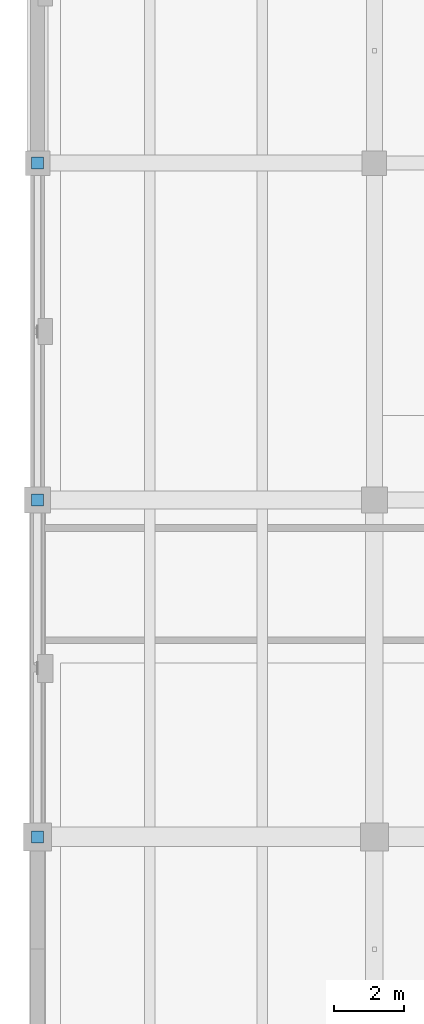
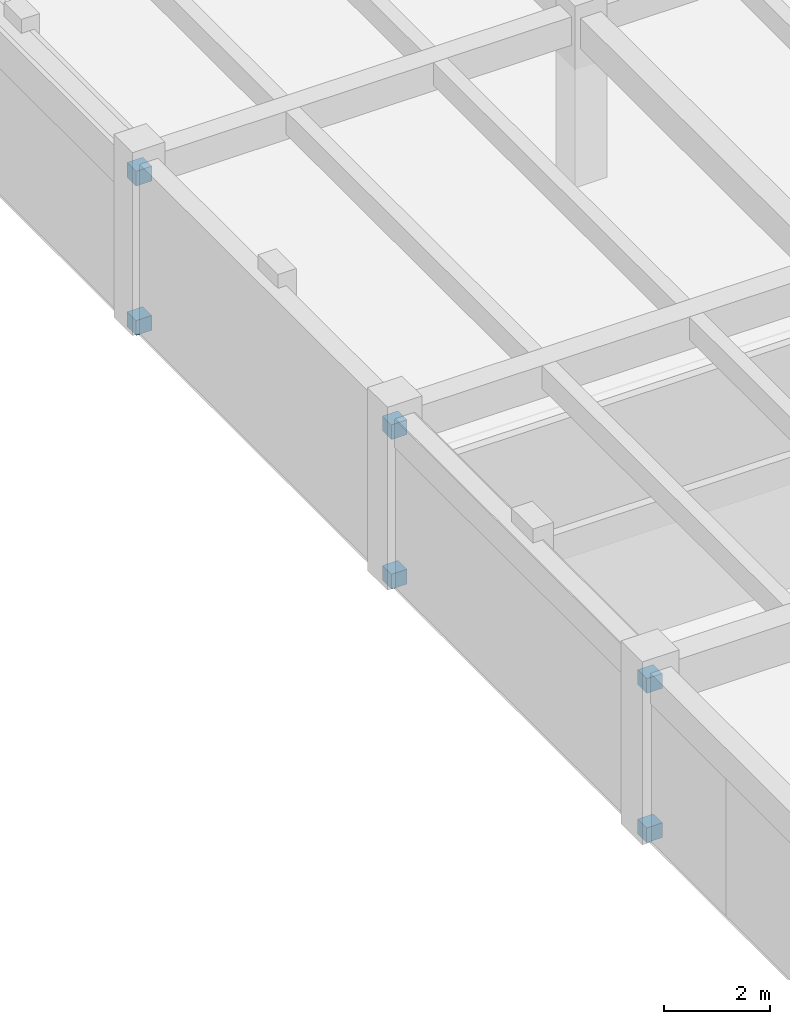
# One storey, part 20 of 28: 6 discrete accessories.
"""IFC4 building model written with IfcOpenShell, lengths in metres."""

import ifcopenshell
import ifcopenshell.guid

model = None  # the IFC model being written
_history = None  # IfcOwnerHistory: only IFC2X3 demands one
_inside = {}  # id of a spatial element -> (the spatial element, [elements in it])
_under = {}  # id of a project, library or spatial element -> (it, [spatial elements below it])
_declared = {}  # id of a project -> (the project, [libraries it declares])
_typed = {}  # id of a type object -> (the type object, [elements of that type])
_made_of = {}  # id of a material, layer set ... -> (it, [elements and type objects made of it])


def new_model(schema):
    """Start an empty IFC model of exactly this schema.

    Asked for "IFC4X3", IfcOpenShell would pick the latest addendum, in which some entities
    have other attributes; the version numbers below select the first issue.
    IFC2X3 requires an IfcOwnerHistory on every rooted entity: one is made here for all.
    """
    global model, _history
    if schema == "IFC4X3":
        model = ifcopenshell.file(schema_version=(4, 3, 0, 0))
    else:
        model = ifcopenshell.file(schema=schema)
    _inside.clear()
    _under.clear()
    _declared.clear()
    _typed.clear()
    _made_of.clear()
    _history = None
    if model.schema == "IFC2X3":
        org = make("IfcOrganization", Name="unknown")
        user = make(
            "IfcPersonAndOrganization",
            ThePerson=make("IfcPerson", FamilyName="unknown"),
            TheOrganization=org,
        )
        app = make(
            "IfcApplication",
            ApplicationDeveloper=org,
            Version="unknown",
            ApplicationFullName="unknown",
            ApplicationIdentifier="unknown",
        )
        _history = make(
            "IfcOwnerHistory",
            OwningUser=user,
            OwningApplication=app,
            ChangeAction="ADDED",
            CreationDate=0,
        )
    return model


def make(cls, **values):
    """One entity of the class cls with the attributes given. An attribute that is None is left unset."""
    return model.create_entity(
        cls, **{name: value for name, value in values.items() if value is not None}
    )


def rooted(cls, **values):
    """An entity with a GlobalId (a new one), such as an element, a storey or a relation."""
    return make(cls, GlobalId=ifcopenshell.guid.new(), OwnerHistory=_history, **values)


def si_unit(unit_type, name, prefix=None):
    """IfcSIUnit, for example si_unit("LENGTHUNIT", "METRE", prefix="MILLI")."""
    return make("IfcSIUnit", UnitType=unit_type, Prefix=prefix, Name=name)


def assignment(units):
    """IfcUnitAssignment: the units of a project."""
    return None if units is None else make("IfcUnitAssignment", Units=units)


def point(xyz):
    """IfcCartesianPoint."""
    return None if xyz is None else make("IfcCartesianPoint", Coordinates=xyz)


def direction(xyz):
    """IfcDirection."""
    return None if xyz is None else make("IfcDirection", DirectionRatios=xyz)


def frame(location, z_axis=None, x_axis=None):
    """IfcAxis2Placement3D, a coordinate frame: its origin and axes. An axis left out is left unset."""
    return make(
        "IfcAxis2Placement3D",
        Location=point(location),
        Axis=direction(z_axis),
        RefDirection=direction(x_axis),
    )


def frame_2d(location, x_axis=None):
    """IfcAxis2Placement2D, a coordinate frame in the plane: its origin and x axis."""
    return make(
        "IfcAxis2Placement2D", Location=point(location), RefDirection=direction(x_axis)
    )


def origin():
    """The frame at (0, 0, 0) with its axes left unset."""
    return frame((0.0, 0.0, 0.0))


def origin_2d():
    """The frame at (0, 0) in the plane with its x axis left unset."""
    return frame_2d((0.0, 0.0))


def place(relative_to, where):
    """IfcLocalPlacement: puts the frame where relative to a parent placement (None: the world)."""
    return make(
        "IfcLocalPlacement", PlacementRelTo=relative_to, RelativePlacement=where
    )


def context(
    kind, dimensions, precision=None, world=None, true_north=None, identifier=None
):
    """IfcGeometricRepresentationContext, for example the 3D "Model" context."""
    return make(
        "IfcGeometricRepresentationContext",
        ContextIdentifier=identifier,
        ContextType=kind,
        CoordinateSpaceDimension=dimensions,
        Precision=precision,
        WorldCoordinateSystem=world,
        TrueNorth=true_north,
    )


def subcontext(parent, identifier, kind, view, scale=None):
    """IfcGeometricRepresentationSubContext, for example "Body" below "Model"."""
    return make(
        "IfcGeometricRepresentationSubContext",
        ContextIdentifier=identifier,
        ContextType=kind,
        ParentContext=parent,
        TargetScale=scale,
        TargetView=view,
    )


def project(units=None, contexts=None):
    """IfcProject with its units and contexts."""
    return rooted(
        "IfcProject",
        Name="project",
        RepresentationContexts=contexts,
        UnitsInContext=assignment(units),
    )


def spatial(cls, under=None, at=None, **own):
    """A site, building, storey or space (cls), placed at a placement, below another one or the project."""
    s = rooted(cls, ObjectPlacement=at, **own)
    if under is not None:
        _under.setdefault(under.id(), (under, []))[1].append(s)
    return s


def profile(cls, at=None, kind="AREA", **sizes):
    """A parametric profile (cls). Its sizes go by their IFC names, for example OverallWidth=200.0."""
    return make(cls, ProfileType=kind, Position=at, **sizes)


def rectangle(**sizes):
    """IfcRectangleProfileDef."""
    return profile("IfcRectangleProfileDef", **sizes)


def extrude(swept, where, along, depth):
    """IfcExtrudedAreaSolid: the profile swept, set in the frame where, extruded along a direction by depth."""
    return make(
        "IfcExtrudedAreaSolid",
        SweptArea=swept,
        Position=where,
        ExtrudedDirection=direction(along),
        Depth=depth,
    )


def shape(context_of_items, identifier, shape_type, items):
    """IfcShapeRepresentation: the items that make up one representation, for example the "Body"."""
    return make(
        "IfcShapeRepresentation",
        ContextOfItems=context_of_items,
        RepresentationIdentifier=identifier,
        RepresentationType=shape_type,
        Items=items,
    )


def material(Name=None, Category=None):
    """IfcMaterial."""
    return make("IfcMaterial", Name=Name, Category=Category)


def made_of(thing, what):
    """Note that an element or type object is made of a material, layer set ...; save() writes the relation."""
    if what is not None:
        _made_of.setdefault(what.id(), (what, []))[1].append(thing)
    return thing


def type_object(cls, material=None, **own):
    """A type object (cls), such as IfcWallType, which elements share."""
    return made_of(rooted(cls, **own), material)


def element(
    cls,
    number,
    at=None,
    inside=None,
    cuts=None,
    type_object=None,
    material=None,
    context=None,
    identifier="Body",
    shape_type=None,
    held_by="IfcProductDefinitionShape",
    body=None,
    shapes=None,
    **own,
):
    """One element of the class cls, such as IfcWall. Its Tag is "e" and its number.

    at: its placement. inside: the storey or other place that contains it. cuts: it is an
    opening in that element (IfcRelVoidsElement). A single representation is given by context,
    identifier, shape_type and body (its items); several are given by shapes. held_by: the class
    of the entity that holds the representations. save() writes the other relations.
    """
    e = rooted(cls, Tag="e%d" % number, ObjectPlacement=at, **own)
    if body is not None:
        shapes = [shape(context, identifier, shape_type, body)]
    if shapes is not None:
        e.Representation = make(held_by, Representations=shapes)
    if inside is not None:
        _inside.setdefault(inside.id(), (inside, []))[1].append(e)
    if cuts is not None:
        rooted(
            "IfcRelVoidsElement", RelatingBuildingElement=cuts, RelatedOpeningElement=e
        )
    if type_object is not None:
        _typed.setdefault(type_object.id(), (type_object, []))[1].append(e)
    return made_of(e, material)


def aggregate(whole, parts):
    """IfcRelAggregates: a whole, such as a stair, and the parts it consists of."""
    return rooted("IfcRelAggregates", RelatingObject=whole, RelatedObjects=parts)


def save(model, path):
    """Write the relations noted so far, then the file.

    IfcRelAggregates (storeys below a building ...), IfcRelContainedInSpatialStructure (elements
    in a storey), IfcRelDefinesByType, IfcRelAssociatesMaterial and IfcRelDeclares: one each for
    every whole, place, type object, material and project.
    """
    for whole, parts in _under.values():
        aggregate(whole, parts)
    for where, things in _inside.values():
        rooted(
            "IfcRelContainedInSpatialStructure",
            RelatedElements=things,
            RelatingStructure=where,
        )
    for kind, things in _typed.values():
        rooted("IfcRelDefinesByType", RelatedObjects=things, RelatingType=kind)
    for what, things in _made_of.values():
        rooted("IfcRelAssociatesMaterial", RelatedObjects=things, RelatingMaterial=what)
    for by, libraries in _declared.values():
        rooted("IfcRelDeclares", RelatingContext=by, RelatedDefinitions=libraries)
    model.write(path)


model = new_model("IFC4")

# Units and contexts
model_context = context("Model", 3, precision=1e-05, world=origin(), true_north=direction((0.0, 1.0)))
body_context = subcontext(model_context, "Body", "Model", "MODEL_VIEW")
ifc_project = project(units=[si_unit("LENGTHUNIT", "METRE"), si_unit("AREAUNIT", "SQUARE_METRE"), si_unit("VOLUMEUNIT", "CUBIC_METRE"), si_unit("PLANEANGLEUNIT", "RADIAN"), si_unit("MASSUNIT", "GRAM", prefix="KILO")], contexts=[model_context])

# Site, building, storey
site_placement = place(None, origin())
site = spatial("IfcSite", under=ifc_project, at=site_placement, CompositionType="ELEMENT")
building_placement = place(site_placement, origin())
building = spatial("IfcBuilding", under=site, at=building_placement, Name="Fikremerkos Civic Library", CompositionType="ELEMENT")
storey_placement = place(building_placement, frame((0.0, 0.0, -4.199951171875)))
storey = spatial("IfcBuildingStorey", under=building, at=storey_placement, Name="B01", CompositionType="ELEMENT", Elevation=-4.199951171875)

# Discrete accessories
ifc_material = material(Name="Steel S355", Category="steel")
discrete_accessory_type = type_object("IfcDiscreteAccessoryType", Name="Steel brace end connection bracket BRK-S1", PredefinedType="BRACKET", material=ifc_material)
for number, where, z_axis, x_axis, name in (
    (1, (0.0, 12.0, -0.169921875), (0.0, 0.0, 1.0), (1.0, 0.0, 0.0), "Steel S355 brace end connection bracket #23"),
    (2, (0.0, 21.60009765625, 3.259765625), (0.0, 0.0, 1.0), (1.0, 0.0, 0.0), "Steel S355 brace end connection bracket #24"),
    (3, (0.0, 21.60009765625, -0.169921875), (0.0, 0.0, 1.0), (1.0, 0.0, 0.0), "Steel S355 brace end connection bracket #25"),
    (4, (0.0, 12.0, 3.259765625), (0.0, 0.0, 1.0), (1.0, 0.0, 0.0), "Steel S355 brace end connection bracket #26"),
    (5, (0.0, 31.199951171875, 3.259765625), (0.0, 0.0, 1.0), (1.0, 0.0, 0.0), "Steel S355 brace end connection bracket #27"),
    (6, (0.0, 31.199951171875, -0.169921875), (0.0, 0.0, 1.0), (1.0, 0.0, 0.0), "Steel S355 brace end connection bracket #28"),
):
    element("IfcDiscreteAccessory", number, at=place(storey_placement, frame(where, z_axis=z_axis, x_axis=x_axis)), inside=storey, type_object=discrete_accessory_type, Name=name, PredefinedType="BRACKET", context=body_context, shape_type="SweptSolid", body=[
        extrude(rectangle(XDim=0.340087890625, YDim=0.340087890625, at=origin_2d()), origin(), (0.0, 0.0, 1.0), 0.340087890625),
    ])

save(model, "model.ifc")
